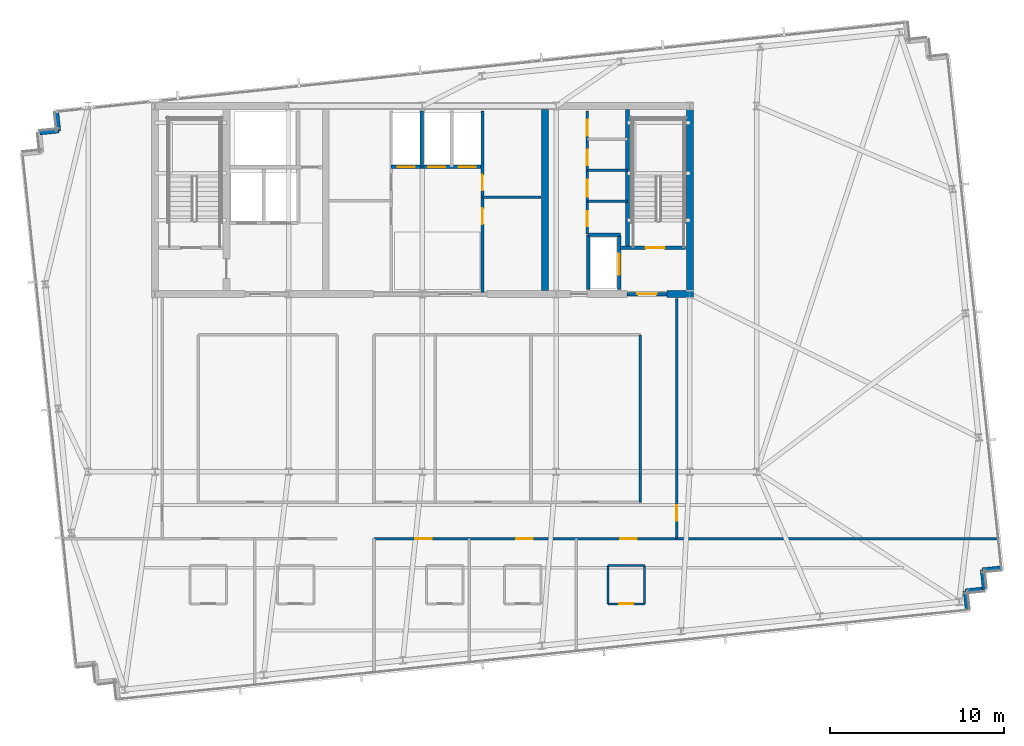
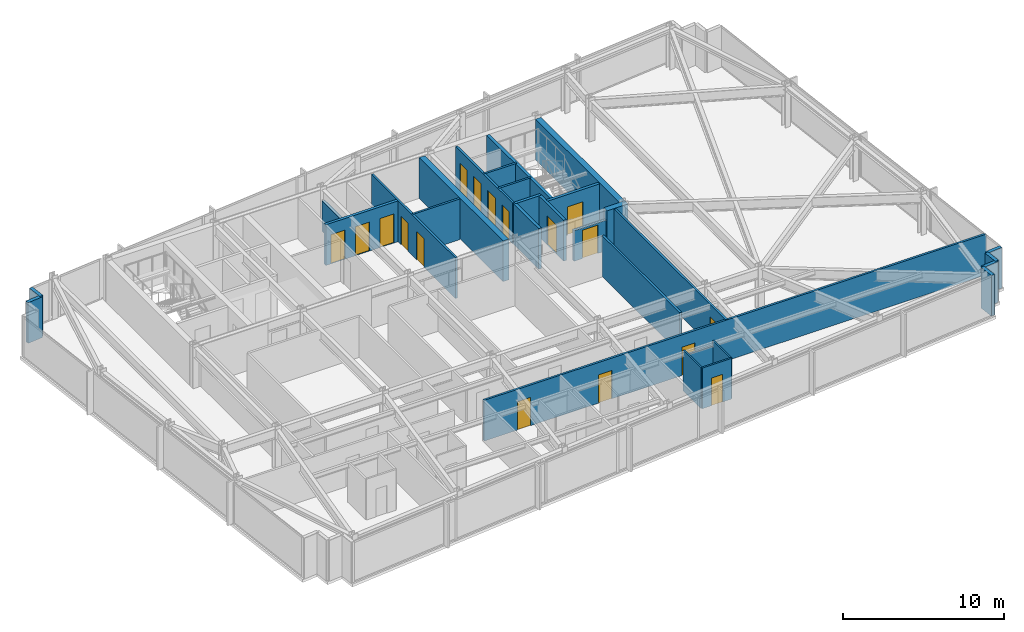
# One storey, part 28 of 33: 29 walls, 17 doors, 17 openings.
"""IFC4 building model written with IfcOpenShell, lengths in metres."""

from ifc_helpers import new_model, si_unit, direction, frame, frame_2d, origin, place, context, subcontext, project, spatial, rectangle, extrude, material, layer, layer_set, type_object, element, fill, save


model = new_model("IFC4")

# Units and contexts
model_context = context("Model", 3, precision=1e-05, world=origin(), true_north=direction((0.0, 1.0)))
body_context = subcontext(model_context, "Body", "Model", "MODEL_VIEW")
ifc_project = project(units=[si_unit("LENGTHUNIT", "METRE"), si_unit("AREAUNIT", "SQUARE_METRE"), si_unit("VOLUMEUNIT", "CUBIC_METRE"), si_unit("PLANEANGLEUNIT", "RADIAN"), si_unit("MASSUNIT", "GRAM", prefix="KILO")], contexts=[model_context])

# Site, building, storey
site_placement = place(None, origin())
site = spatial("IfcSite", under=ifc_project, at=site_placement, CompositionType="ELEMENT")
building_placement = place(site_placement, origin())
building = spatial("IfcBuilding", under=site, at=building_placement, Name="Yelkora Congress Tower", CompositionType="ELEMENT")
storey_placement = place(building_placement, frame((0.0, 0.0, 227.60009765625)))
storey = spatial("IfcBuildingStorey", under=building, at=storey_placement, Name="L63", CompositionType="ELEMENT", Elevation=227.60009765625)

# Walls
ifc_material_1 = material(Name="Concrete C50/60", Category="concrete")
ifc_layer_1 = layer(ifc_material_1, 0.219970703125)
ifc_layer_set_1 = layer_set([ifc_layer_1], Name="Concrete C50/60")
wall_type_1 = type_object("IfcWallType", Name="WALL-CORE-INT-220", PredefinedType="SHEAR", material=ifc_layer_set_1)
wall_1_placement = place(storey_placement, frame((50.179931640625, 38.050048828125, 0.0), z_axis=(0.0, 0.0, 1.0), x_axis=(0.0, 1.0, 0.0)))
element("IfcWall", 1, at=wall_1_placement, inside=storey, type_object=wall_type_1, Name="L63 ST02 West Stair Shear Wall", PredefinedType="SHEAR", context=body_context, shape_type="SweptSolid", body=[
    extrude(rectangle(XDim=7.949951171875, YDim=0.219970703125, at=frame_2d((3.97509765625, 0.0))), origin(), (0.0, 0.0, 1.0), 3.079833984375),
])
ifc_layer_2 = layer(ifc_material_1, 0.39990234375)
ifc_layer_set_2 = layer_set([ifc_layer_2], Name="Concrete C50/60")
wall_type_2 = type_object("IfcWallType", Name="WALL-CORE-INT-400", PredefinedType="SHEAR", material=ifc_layer_set_2)
wall_2_placement = place(storey_placement, frame((52.449951171875, 35.39990234375, 0.0), z_axis=(0.0, 0.0, 1.0), x_axis=(1.0, 0.0, 0.0)))
element("IfcWall", 2, at=wall_2_placement, inside=storey, type_object=wall_type_2, Name="L63 Rear Core South-East Shear Wall B", PredefinedType="SHEAR", context=body_context, shape_type="SweptSolid", body=[
    extrude(rectangle(XDim=1.510009765625, YDim=0.39990234375, at=frame_2d((0.7548828125, 0.0))), origin(), (0.0, 0.0, 1.0), 3.079833984375),
])
for number, where, z_axis, x_axis, name in (
    (3, (45.449951171875, 35.60009765625, 0.0), (0.0, 0.0, 1.0), (0.0, 1.0, 0.0), "L63 Rear Core Cross Shear Wall C3"),
    (4, (53.760009765625, 35.60009765625, 0.0), (0.0, 0.0, 1.0), (0.0, 1.0, 0.0), "L63 Rear Core Cross Shear Wall E"),
):
    element("IfcWall", number, at=place(storey_placement, frame(where, z_axis=z_axis, x_axis=x_axis)), inside=storey, type_object=wall_type_2, Name=name, PredefinedType="SHEAR", context=body_context, shape_type="SweptSolid", body=[
        extrude(rectangle(XDim=10.39990234375, YDim=0.39990234375, at=frame_2d((5.199951171875, 0.0))), origin(), (0.0, 0.0, 1.0), 3.079833984375),
    ])
ifc_material_2 = material(Name="Concrete C40/50", Category="concrete")
ifc_layer_3 = layer(ifc_material_2, 0.239990234375)
ifc_layer_set_3 = layer_set([ifc_layer_3], Name="Concrete C40/50")
wall_type_3 = type_object("IfcWallType", Name="WALL-EXT-LIMESTONE-240", PredefinedType="SOLIDWALL", material=ifc_layer_set_3)
wall_3_placement = place(storey_placement, frame((16.420166015625, 44.65380859375, 0.0), z_axis=(0.0, 0.0, 1.0), x_axis=(0.994541884982, 0.104338099541, 0.0)))
element("IfcWall", 5, at=wall_3_placement, inside=storey, type_object=wall_type_3, Name="L63 Serrated Corner Limestone Pier 8", PredefinedType="SOLIDWALL", context=body_context, shape_type="SweptSolid", body=[
    extrude(rectangle(XDim=1.099853515625, YDim=0.239990234375, at=frame_2d((0.5498046875, 0.0))), origin(), (0.0, 0.0, 1.0), 3.079833984375),
])
for number, where, z_axis, x_axis, name in (
    (6, (17.513916015625, 44.7685546875, 0.0), (0.0, 0.0, 1.0), (-0.104534592565, 0.994521251134, 0.0), "L63 Serrated Corner Limestone Pier 9"),
    (7, (71.654052734375, 19.67041015625, 0.0), (0.0, 0.0, 1.0), (-0.994521251134, -0.104534592565, 0.0), "L63 Serrated Corner Limestone Pier 16"),
    (8, (70.56005859375, 19.555419921875, 0.0), (0.0, 0.0, 1.0), (0.104534592565, -0.994521251134, 0.0), "L63 Serrated Corner Limestone Pier 17"),
    (9, (70.675048828125, 18.46142578125, 0.0), (0.0, 0.0, 1.0), (-0.994521251134, -0.104534592565, 0.0), "L63 Serrated Corner Limestone Pier 18"),
    (10, (69.5810546875, 18.346435546875, 0.0), (0.0, 0.0, 1.0), (0.104534592565, -0.994521251134, 0.0), "L63 Serrated Corner Limestone Pier 19"),
):
    element("IfcWall", number, at=place(storey_placement, frame(where, z_axis=z_axis, x_axis=x_axis)), inside=storey, type_object=wall_type_3, Name=name, PredefinedType="SOLIDWALL", context=body_context, shape_type="SweptSolid", body=[
        extrude(rectangle(XDim=1.10009765625, YDim=0.239990234375, at=frame_2d((0.550048828125, 0.0))), origin(), (0.0, 0.0, 1.0), 3.079833984375),
    ])
ifc_material_3 = material(Name="Moisture-resistant gypsum partition", Category="gypsum")
ifc_layer_4 = layer(ifc_material_3, 0.1201171875)
ifc_layer_set_4 = layer_set([ifc_layer_4], Name="Moisture-resistant gypsum partition")
wall_type_4 = type_object("IfcWallType", Name="WALL-INT-120-NR", PredefinedType="PARTITIONING", material=ifc_layer_set_4)
wall_4_placement = place(storey_placement, frame((49.069091796875, 19.800048828125, 0.0), z_axis=(0.0, 0.0, 1.0), x_axis=(1.0, 0.0, 0.0)))
element("IfcWall", 11, at=wall_4_placement, inside=storey, type_object=wall_type_4, Name="L63 Partition Wall 43", PredefinedType="PARTITIONING", context=body_context, shape_type="SweptSolid", body=[
    extrude(rectangle(XDim=2.099853515625, YDim=0.1201171875, at=frame_2d((1.0498046875, 0.0))), origin(), (0.0, 0.0, 1.0), 2.71484375),
])
for number, where, z_axis, x_axis, name in (
    (12, (49.069091796875, 17.60009765625, 0.0), (0.0, 0.0, 1.0), (0.0, 1.0, 0.0), "L63 Partition Wall 44"),
    (13, (51.1689453125, 17.60009765625, 0.0), (0.0, 0.0, 1.0), (0.0, 1.0, 0.0), "L63 Partition Wall 45"),
):
    element("IfcWall", number, at=place(storey_placement, frame(where, z_axis=z_axis, x_axis=x_axis)), inside=storey, type_object=wall_type_4, Name=name, PredefinedType="PARTITIONING", context=body_context, shape_type="SweptSolid", body=[
        extrude(rectangle(XDim=2.199951171875, YDim=0.1201171875, at=frame_2d((1.10009765625, 0.0))), origin(), (0.0, 0.0, 1.0), 3.079833984375),
    ])

# Wall, opening, door
wall_5_placement = place(storey_placement, frame((49.069091796875, 17.60009765625, 0.0), z_axis=(0.0, 0.0, 1.0), x_axis=(1.0, 0.0, 0.0)))
wall_5 = element("IfcWall", 14, at=wall_5_placement, inside=storey, type_object=wall_type_4, Name="L63 Partition Wall 46", PredefinedType="PARTITIONING", context=body_context, shape_type="SweptSolid", body=[
    extrude(rectangle(XDim=2.099853515625, YDim=0.1201171875, at=frame_2d((1.0498046875, 0.0))), origin(), (0.0, 0.0, 1.0), 3.079833984375),
])
opening_1_placement = place(wall_5_placement, frame((0.64990234375, 0.0, 0.0)))
opening_1 = element("IfcOpeningElement", 15, at=opening_1_placement, cuts=wall_5, Name="Opening DR-080B", PredefinedType="OPENING", context=body_context, shape_type="SweptSolid", body=[
    extrude(rectangle(XDim=0.800048828125, YDim=2.10009765625, at=frame_2d((0.39990234375, 1.050048828125))), frame((0.0, 0.070068359375, 0.0), z_axis=(0.0, -1.0, 0.0), x_axis=(1.0, 0.0, 0.0)), (0.0, 0.0, 1.0), 0.14013671875),
])
ifc_material_4 = material(Name="Moisture-sealed en-suite timber door", Category="wood")
door_type_1 = type_object("IfcDoorType", Name="DOOR-BATH-800", OperationType="NOTDEFINED", PredefinedType="DOOR", material=ifc_material_4)
door_1_placement = place(opening_1_placement, origin())
door_1 = element("IfcDoor", 16, at=door_1_placement, inside=storey, type_object=door_type_1, Name="L63 En-suite Door 6", OperationType="SINGLE_SWING_LEFT", OverallHeight=2.10009765625, OverallWidth=0.800048828125, PredefinedType="DOOR", context=body_context, shape_type="SweptSolid", body=[
    extrude(rectangle(XDim=0.800048828125, YDim=2.10009765625, at=frame_2d((0.39990234375, 1.050048828125))), frame((0.0, 0.02490234375, 0.0), z_axis=(0.0, -1.0, 0.0), x_axis=(1.0, 0.0, 0.0)), (0.0, 0.0, 1.0), 0.050048828125),
])
fill(opening_1, door_1)

# Walls
ifc_material_5 = material(Name="Acoustic metal-stud gypsum partition", Category="gypsum")
ifc_layer_5 = layer(ifc_material_5, 0.14990234375)
ifc_layer_set_5 = layer_set([ifc_layer_5], Name="Acoustic metal-stud gypsum partition")
wall_type_5 = type_object("IfcWallType", Name="WALL-INT-150-NR", PredefinedType="PARTITIONING", material=ifc_layer_set_5)
for number, where, z_axis, x_axis, name in (
    (17, (47.8798828125, 40.719970703125, 0.0), (0.0, 0.0, 1.0), (1.0, 0.0, 0.0), "L63 Partition Wall 20"),
    (18, (47.8798828125, 42.52001953125, 0.0), (0.0, 0.0, 1.0), (1.0, 0.0, 0.0), "L63 Partition Wall 21"),
):
    element("IfcWall", number, at=place(storey_placement, frame(where, z_axis=z_axis, x_axis=x_axis)), inside=storey, type_object=wall_type_5, Name=name, PredefinedType="PARTITIONING", context=body_context, shape_type="SweptSolid", body=[
        extrude(rectangle(XDim=2.300048828125, YDim=0.14990234375, at=frame_2d((1.14990234375, 0.0))), origin(), (0.0, 0.0, 1.0), 3.079833984375),
    ])

# Wall, openings, doors
wall_6_placement = place(storey_placement, frame((47.8798828125, 38.85009765625, 0.0), z_axis=(0.0, 0.0, 1.0), x_axis=(0.0, 1.0, 0.0)))
wall_6 = element("IfcWall", 19, at=wall_6_placement, inside=storey, type_object=wall_type_5, Name="L63 Partition Wall 23", PredefinedType="PARTITIONING", context=body_context, shape_type="SweptSolid", body=[
    extrude(rectangle(XDim=7.06982421875, YDim=0.14990234375, at=frame_2d((3.534912109375, 0.0))), origin(), (0.0, 0.0, 1.0), 3.079833984375),
])
opening_2_placement = place(wall_6_placement, frame((0.449951171875, 0.0, 0.0)))
opening_2 = element("IfcOpeningElement", 20, at=opening_2_placement, cuts=wall_6, Name="Opening DR-085N", PredefinedType="OPENING", context=body_context, shape_type="SweptSolid", body=[
    extrude(rectangle(XDim=0.85009765625, YDim=2.14990234375, at=frame_2d((0.425048828125, 1.074951171875))), frame((0.0, 0.0849609375, 0.0), z_axis=(0.0, -1.0, 0.0), x_axis=(1.0, 0.0, 0.0)), (0.0, 0.0, 1.0), 0.169921875),
])
opening_3_placement = place(wall_6_placement, frame((2.14990234375, 0.0, 0.0)))
opening_3 = element("IfcOpeningElement", 21, at=opening_3_placement, cuts=wall_6, Name="Opening DR-095N", PredefinedType="OPENING", context=body_context, shape_type="SweptSolid", body=[
    extrude(rectangle(XDim=0.949951171875, YDim=2.14990234375, at=frame_2d((0.47509765625, 1.074951171875))), frame((0.0, 0.0849609375, 0.0), z_axis=(0.0, -1.0, 0.0), x_axis=(1.0, 0.0, 0.0)), (0.0, 0.0, 1.0), 0.169921875),
])
opening_4_placement = place(wall_6_placement, frame((3.949951171875, 0.0, 0.0)))
opening_4 = element("IfcOpeningElement", 22, at=opening_4_placement, cuts=wall_6, Name="Opening DR-090N", PredefinedType="OPENING", context=body_context, shape_type="SweptSolid", body=[
    extrude(rectangle(XDim=0.89990234375, YDim=2.14990234375, at=frame_2d((0.449951171875, 1.074951171875))), frame((0.0, 0.0849609375, 0.0), z_axis=(0.0, -1.0, 0.0), x_axis=(1.0, 0.0, 0.0)), (0.0, 0.0, 1.0), 0.169921875),
])
opening_5_placement = place(wall_6_placement, frame((5.64990234375, 0.0, 0.0)))
opening_5 = element("IfcOpeningElement", 23, at=opening_5_placement, cuts=wall_6, Name="Opening DR-090N", PredefinedType="OPENING", context=body_context, shape_type="SweptSolid", body=[
    extrude(rectangle(XDim=0.89990234375, YDim=2.14990234375, at=frame_2d((0.449951171875, 1.074951171875))), frame((0.0, 0.0849609375, 0.0), z_axis=(0.0, -1.0, 0.0), x_axis=(1.0, 0.0, 0.0)), (0.0, 0.0, 1.0), 0.169921875),
])
ifc_material_6 = material(Name="Laminate service store door leaf", Category="wood")
door_type_2 = type_object("IfcDoorType", Name="DOOR-INT-850", OperationType="NOTDEFINED", PredefinedType="DOOR", material=ifc_material_6)
door_2_placement = place(opening_2_placement, origin())
door_2 = element("IfcDoor", 24, at=door_2_placement, inside=storey, type_object=door_type_2, Name="L63 Janitor Room Door", OperationType="SINGLE_SWING_LEFT", OverallHeight=2.14990234375, OverallWidth=0.85009765625, PredefinedType="DOOR", context=body_context, shape_type="SweptSolid", body=[
    extrude(rectangle(XDim=0.85009765625, YDim=2.14990234375, at=frame_2d((0.425048828125, 1.074951171875))), frame((0.0, 0.02490234375, 0.0), z_axis=(0.0, -1.0, 0.0), x_axis=(1.0, 0.0, 0.0)), (0.0, 0.0, 1.0), 0.050048828125),
])
fill(opening_2, door_2)
ifc_material_7 = material(Name="Moisture-resistant laminate door leaf", Category="wood")
door_type_3 = type_object("IfcDoorType", Name="DOOR-INT-900", OperationType="NOTDEFINED", PredefinedType="DOOR", material=ifc_material_7)
door_3_placement = place(opening_4_placement, origin())
door_3 = element("IfcDoor", 25, at=door_3_placement, inside=storey, type_object=door_type_3, Name="L63 Male WC Door", OperationType="SINGLE_SWING_LEFT", OverallHeight=2.14990234375, OverallWidth=0.89990234375, PredefinedType="DOOR", context=body_context, shape_type="SweptSolid", body=[
    extrude(rectangle(XDim=0.89990234375, YDim=2.14990234375, at=frame_2d((0.449951171875, 1.074951171875))), frame((0.0, 0.02490234375, 0.0), z_axis=(0.0, -1.0, 0.0), x_axis=(1.0, 0.0, 0.0)), (0.0, 0.0, 1.0), 0.050048828125),
])
fill(opening_4, door_3)
door_4_placement = place(opening_5_placement, origin())
door_4 = element("IfcDoor", 26, at=door_4_placement, inside=storey, type_object=door_type_3, Name="L63 Female WC Door", OperationType="SINGLE_SWING_RIGHT", OverallHeight=2.14990234375, OverallWidth=0.89990234375, PredefinedType="DOOR", context=body_context, shape_type="SweptSolid", body=[
    extrude(rectangle(XDim=0.89990234375, YDim=2.14990234375, at=frame_2d((0.449951171875, 1.074951171875))), frame((0.0, 0.02490234375, 0.0), z_axis=(0.0, -1.0, 0.0), x_axis=(1.0, 0.0, 0.0)), (0.0, 0.0, 1.0), 0.050048828125),
])
fill(opening_5, door_4)
ifc_material_8 = material(Name="Acoustic laminated timber office door", Category="wood")
door_type_4 = type_object("IfcDoorType", Name="DOOR-INT-950", OperationType="NOTDEFINED", PredefinedType="DOOR", material=ifc_material_8)
door_5_placement = place(opening_3_placement, origin())
door_5 = element("IfcDoor", 27, at=door_5_placement, inside=storey, type_object=door_type_4, Name="L63 Accessible WC Door", OperationType="SINGLE_SWING_RIGHT", OverallHeight=2.14990234375, OverallWidth=0.949951171875, PredefinedType="DOOR", context=body_context, shape_type="SweptSolid", body=[
    extrude(rectangle(XDim=0.949951171875, YDim=2.14990234375, at=frame_2d((0.47509765625, 1.074951171875))), frame((0.0, 0.02490234375, 0.0), z_axis=(0.0, -1.0, 0.0), x_axis=(1.0, 0.0, 0.0)), (0.0, 0.0, 1.0), 0.050048828125),
])
fill(opening_3, door_5)

# Wall, opening, door
wall_7_placement = place(storey_placement, frame((53.0, 21.35009765625, 0.0), z_axis=(0.0, 0.0, 1.0), x_axis=(0.0, 1.0, 0.0)))
wall_7 = element("IfcWall", 28, at=wall_7_placement, inside=storey, type_object=wall_type_5, Name="L63 Partition Wall 51", PredefinedType="PARTITIONING", context=body_context, shape_type="SweptSolid", body=[
    extrude(rectangle(XDim=13.789794921875, YDim=0.14990234375, at=frame_2d((6.89501953125, 0.0))), origin(), (0.0, 0.0, 1.0), 3.079833984375),
])
opening_6_placement = place(wall_7_placement, frame((1.030029296875, 0.0, 0.0)))
opening_6 = element("IfcOpeningElement", 29, at=opening_6_placement, cuts=wall_7, Name="Opening DR-090N", PredefinedType="OPENING", context=body_context, shape_type="SweptSolid", body=[
    extrude(rectangle(XDim=0.89990234375, YDim=2.14990234375, at=frame_2d((0.449951171875, 1.074951171875))), frame((0.0, 0.0849609375, 0.0), z_axis=(0.0, -1.0, 0.0), x_axis=(1.0, 0.0, 0.0)), (0.0, 0.0, 1.0), 0.169921875),
])
door_6_placement = place(opening_6_placement, origin())
door_6 = element("IfcDoor", 30, at=door_6_placement, inside=storey, type_object=door_type_3, Name="L63 E Wing Door", OperationType="SINGLE_SWING_RIGHT", OverallHeight=2.14990234375, OverallWidth=0.89990234375, PredefinedType="DOOR", context=body_context, shape_type="SweptSolid", body=[
    extrude(rectangle(XDim=0.89990234375, YDim=2.14990234375, at=frame_2d((0.449951171875, 1.074951171875))), frame((0.0, 0.02490234375, 0.0), z_axis=(0.0, -1.0, 0.0), x_axis=(1.0, 0.0, 0.0)), (0.0, 0.0, 1.0), 0.050048828125),
])
fill(opening_6, door_6)

# Walls
wall_8_placement = place(storey_placement, frame((50.919921875, 23.429931640625, 0.0), z_axis=(0.0, 0.0, 1.0), x_axis=(0.0, 1.0, 0.0)))
element("IfcWall", 31, at=wall_8_placement, inside=storey, type_object=wall_type_5, Name="L63 Partition Wall 53", PredefinedType="PARTITIONING", context=body_context, shape_type="SweptSolid", body=[
    extrude(rectangle(XDim=9.6201171875, YDim=0.14990234375, at=frame_2d((4.81005859375, 0.0))), origin(), (0.0, 0.0, 1.0), 3.079833984375),
])
ifc_material_9 = material(Name="Twin-stud fire-rated gypsum partition", Category="gypsum")
ifc_layer_6 = layer(ifc_material_9, 0.14990234375)
ifc_layer_set_6 = layer_set([ifc_layer_6], Name="Twin-stud fire-rated gypsum partition")
wall_type_6 = type_object("IfcWallType", Name="WALL-INT-150-R60", PredefinedType="PARTITIONING", material=ifc_layer_set_6)
wall_9_placement = place(storey_placement, frame((41.85009765625, 40.949951171875, 0.0), z_axis=(0.0, 0.0, 1.0), x_axis=(1.0, 0.0, 0.0)))
element("IfcWall", 32, at=wall_9_placement, inside=storey, type_object=wall_type_6, Name="L63 Partition Wall 13", PredefinedType="PARTITIONING", context=body_context, shape_type="SweptSolid", body=[
    extrude(rectangle(XDim=3.369873046875, YDim=0.14990234375, at=frame_2d((1.68505859375, 0.0))), origin(), (0.0, 0.0, 1.0), 3.079833984375),
])

# Wall, openings, doors
wall_10_placement = place(storey_placement, frame((41.85009765625, 35.5, 0.0), z_axis=(0.0, 0.0, 1.0), x_axis=(0.0, 1.0, 0.0)))
wall_10 = element("IfcWall", 33, at=wall_10_placement, inside=storey, type_object=wall_type_6, Name="L63 Partition Wall 14", PredefinedType="PARTITIONING", context=body_context, shape_type="SweptSolid", body=[
    extrude(rectangle(XDim=10.419921875, YDim=0.14990234375, at=frame_2d((5.2099609375, 0.0))), origin(), (0.0, 0.0, 1.0), 3.079833984375),
])
opening_7_placement = place(wall_10_placement, frame((3.919921875, 0.0, 0.0)))
opening_7 = element("IfcOpeningElement", 34, at=opening_7_placement, cuts=wall_10, Name="Opening DR-090F6", PredefinedType="OPENING", context=body_context, shape_type="SweptSolid", body=[
    extrude(rectangle(XDim=0.89990234375, YDim=2.14990234375, at=frame_2d((0.449951171875, 1.074951171875))), frame((0.0, 0.0849609375, 0.0), z_axis=(0.0, -1.0, 0.0), x_axis=(1.0, 0.0, 0.0)), (0.0, 0.0, 1.0), 0.169921875),
])
opening_8_placement = place(wall_10_placement, frame((5.85009765625, 0.0, 0.0)))
opening_8 = element("IfcOpeningElement", 35, at=opening_8_placement, cuts=wall_10, Name="Opening DR-090F6", PredefinedType="OPENING", context=body_context, shape_type="SweptSolid", body=[
    extrude(rectangle(XDim=0.89990234375, YDim=2.14990234375, at=frame_2d((0.449951171875, 1.074951171875))), frame((0.0, 0.0849609375, 0.0), z_axis=(0.0, -1.0, 0.0), x_axis=(1.0, 0.0, 0.0)), (0.0, 0.0, 1.0), 0.169921875),
])
ifc_material_10 = material(Name="Painted steel riser fire door leaf", Category="steel")
door_type_5 = type_object("IfcDoorType", Name="DOOR-FD60-900", OperationType="NOTDEFINED", PredefinedType="DOOR", material=ifc_material_10)
door_7_placement = place(opening_7_placement, origin())
door_7 = element("IfcDoor", 36, at=door_7_placement, inside=storey, type_object=door_type_5, Name="L63 High-Zone BMS Door", OperationType="SINGLE_SWING_RIGHT", OverallHeight=2.14990234375, OverallWidth=0.89990234375, PredefinedType="DOOR", context=body_context, shape_type="SweptSolid", body=[
    extrude(rectangle(XDim=0.89990234375, YDim=2.14990234375, at=frame_2d((0.449951171875, 1.074951171875))), frame((0.0, 0.02490234375, 0.0), z_axis=(0.0, -1.0, 0.0), x_axis=(1.0, 0.0, 0.0)), (0.0, 0.0, 1.0), 0.050048828125),
])
fill(opening_7, door_7)
door_8_placement = place(opening_8_placement, origin())
door_8 = element("IfcDoor", 37, at=door_8_placement, inside=storey, type_object=door_type_5, Name="L63 Linen Store Door", OperationType="SINGLE_SWING_LEFT", OverallHeight=2.14990234375, OverallWidth=0.89990234375, PredefinedType="DOOR", context=body_context, shape_type="SweptSolid", body=[
    extrude(rectangle(XDim=0.89990234375, YDim=2.14990234375, at=frame_2d((0.449951171875, 1.074951171875))), frame((0.0, 0.02490234375, 0.0), z_axis=(0.0, -1.0, 0.0), x_axis=(1.0, 0.0, 0.0)), (0.0, 0.0, 1.0), 0.050048828125),
])
fill(opening_8, door_8)

wall_11_placement = place(storey_placement, frame((35.6201171875, 21.35009765625, 0.0), z_axis=(0.0, 0.0, 1.0), x_axis=(1.0, 0.0, 0.0)))
wall_11 = element("IfcWall", 38, at=wall_11_placement, inside=storey, type_object=wall_type_6, Name="L63 South Spine Wall East", PredefinedType="PARTITIONING", context=body_context, shape_type="SweptSolid", body=[
    extrude(rectangle(XDim=35.917724609375, YDim=0.14990234375, at=frame_2d((17.958984375, 0.0))), origin(), (0.0, 0.0, 1.0), 3.079833984375),
])
opening_9_placement = place(wall_11_placement, frame((2.3759765625, 0.0, 0.0)))
opening_9 = element("IfcOpeningElement", 39, at=opening_9_placement, cuts=wall_11, Name="Opening DR-095F6", PredefinedType="OPENING", context=body_context, shape_type="SweptSolid", body=[
    extrude(rectangle(XDim=0.949951171875, YDim=2.14990234375, at=frame_2d((0.47509765625, 1.074951171875))), frame((0.0, 0.0849609375, 0.0), z_axis=(0.0, -1.0, 0.0), x_axis=(1.0, 0.0, 0.0)), (0.0, 0.0, 1.0), 0.169921875),
])
opening_10_placement = place(wall_11_placement, frame((8.179931640625, 0.0, 0.0)))
opening_10 = element("IfcOpeningElement", 40, at=opening_10_placement, cuts=wall_11, Name="Opening DR-095F6", PredefinedType="OPENING", context=body_context, shape_type="SweptSolid", body=[
    extrude(rectangle(XDim=0.949951171875, YDim=2.14990234375, at=frame_2d((0.47509765625, 1.074951171875))), frame((0.0, 0.0849609375, 0.0), z_axis=(0.0, -1.0, 0.0), x_axis=(1.0, 0.0, 0.0)), (0.0, 0.0, 1.0), 0.169921875),
])
opening_11_placement = place(wall_11_placement, frame((14.138916015625, 0.0, 0.0)))
opening_11 = element("IfcOpeningElement", 41, at=opening_11_placement, cuts=wall_11, Name="Opening DR-095F6", PredefinedType="OPENING", context=body_context, shape_type="SweptSolid", body=[
    extrude(rectangle(XDim=0.949951171875, YDim=2.14990234375, at=frame_2d((0.47509765625, 1.074951171875))), frame((0.0, 0.0849609375, 0.0), z_axis=(0.0, -1.0, 0.0), x_axis=(1.0, 0.0, 0.0)), (0.0, 0.0, 1.0), 0.169921875),
])
ifc_material_11 = material(Name="Acoustic oak-veneer fire door leaf", Category="wood")
door_type_6 = type_object("IfcDoorType", Name="DOOR-FD60-950", OperationType="NOTDEFINED", PredefinedType="DOOR", material=ifc_material_11)
door_9_placement = place(opening_9_placement, origin())
door_9 = element("IfcDoor", 42, at=door_9_placement, inside=storey, type_object=door_type_6, Name="L63 Hotel Guest Room 04 Entry Door", OperationType="SINGLE_SWING_RIGHT", OverallHeight=2.14990234375, OverallWidth=0.949951171875, PredefinedType="DOOR", context=body_context, shape_type="SweptSolid", body=[
    extrude(rectangle(XDim=0.949951171875, YDim=2.14990234375, at=frame_2d((0.47509765625, 1.074951171875))), frame((0.0, 0.02490234375, 0.0), z_axis=(0.0, -1.0, 0.0), x_axis=(1.0, 0.0, 0.0)), (0.0, 0.0, 1.0), 0.050048828125),
])
fill(opening_9, door_9)
door_10_placement = place(opening_10_placement, origin())
door_10 = element("IfcDoor", 43, at=door_10_placement, inside=storey, type_object=door_type_6, Name="L63 Hotel Guest Room 05 Entry Door", OperationType="SINGLE_SWING_LEFT", OverallHeight=2.14990234375, OverallWidth=0.949951171875, PredefinedType="DOOR", context=body_context, shape_type="SweptSolid", body=[
    extrude(rectangle(XDim=0.949951171875, YDim=2.14990234375, at=frame_2d((0.47509765625, 1.074951171875))), frame((0.0, 0.02490234375, 0.0), z_axis=(0.0, -1.0, 0.0), x_axis=(1.0, 0.0, 0.0)), (0.0, 0.0, 1.0), 0.050048828125),
])
fill(opening_10, door_10)
door_11_placement = place(opening_11_placement, origin())
door_11 = element("IfcDoor", 44, at=door_11_placement, inside=storey, type_object=door_type_6, Name="L63 Diplomatic Suite 06 Entry Door", OperationType="SINGLE_SWING_RIGHT", OverallHeight=2.14990234375, OverallWidth=0.949951171875, PredefinedType="DOOR", context=body_context, shape_type="SweptSolid", body=[
    extrude(rectangle(XDim=0.949951171875, YDim=2.14990234375, at=frame_2d((0.47509765625, 1.074951171875))), frame((0.0, 0.02490234375, 0.0), z_axis=(0.0, -1.0, 0.0), x_axis=(1.0, 0.0, 0.0)), (0.0, 0.0, 1.0), 0.050048828125),
])
fill(opening_11, door_11)

ifc_material_12 = material(Name="Autoclaved aerated concrete blockwork", Category="masonry")
ifc_layer_7 = layer(ifc_material_12, 0.199951171875)
ifc_layer_set_7 = layer_set([ifc_layer_7], Name="Autoclaved aerated concrete blockwork")
wall_type_7 = type_object("IfcWallType", Name="WALL-INT-200-R120", PredefinedType="PARTITIONING", material=ifc_layer_set_7)
wall_12_placement = place(storey_placement, frame((36.60009765625, 42.699951171875, 0.0), z_axis=(0.0, 0.0, 1.0), x_axis=(1.0, 0.0, 0.0)))
wall_12 = element("IfcWall", 45, at=wall_12_placement, inside=storey, type_object=wall_type_7, Name="L63 Partition Wall 8", PredefinedType="PARTITIONING", context=body_context, shape_type="SweptSolid", body=[
    extrude(rectangle(XDim=5.25, YDim=0.199951171875, at=frame_2d((2.625, 0.0))), origin(), (0.0, 0.0, 1.0), 3.079833984375),
])
opening_12_placement = place(wall_12_placement, frame((0.375, 0.0, 0.0)))
opening_12 = element("IfcOpeningElement", 46, at=opening_12_placement, cuts=wall_12, Name="Opening LD-PS10", PredefinedType="OPENING", context=body_context, shape_type="SweptSolid", body=[
    extrude(rectangle(XDim=1.0, YDim=2.199951171875, at=frame_2d((0.5, 1.10009765625))), frame((0.0, 0.10986328125, 0.0), z_axis=(0.0, -1.0, 0.0), x_axis=(1.0, 0.0, 0.0)), (0.0, 0.0, 1.0), 0.219970703125),
])
opening_13_placement = place(wall_12_placement, frame((2.125, 0.0, 0.0)))
opening_13 = element("IfcOpeningElement", 47, at=opening_13_placement, cuts=wall_12, Name="Opening LD-PS10", PredefinedType="OPENING", context=body_context, shape_type="SweptSolid", body=[
    extrude(rectangle(XDim=1.0, YDim=2.199951171875, at=frame_2d((0.5, 1.10009765625))), frame((0.0, 0.10986328125, 0.0), z_axis=(0.0, -1.0, 0.0), x_axis=(1.0, 0.0, 0.0)), (0.0, 0.0, 1.0), 0.219970703125),
])
opening_14_placement = place(wall_12_placement, frame((3.875, 0.0, 0.0)))
opening_14 = element("IfcOpeningElement", 48, at=opening_14_placement, cuts=wall_12, Name="Opening LD-PS10", PredefinedType="OPENING", context=body_context, shape_type="SweptSolid", body=[
    extrude(rectangle(XDim=1.0, YDim=2.199951171875, at=frame_2d((0.5, 1.10009765625))), frame((0.0, 0.10986328125, 0.0), z_axis=(0.0, -1.0, 0.0), x_axis=(1.0, 0.0, 0.0)), (0.0, 0.0, 1.0), 0.219970703125),
])
ifc_material_13 = material(Name="Champagne stainless steel landing door", Category="steel")
door_type_7 = type_object("IfcDoorType", Name="DOOR-LIFT-PAS-1000", OperationType="DOUBLE_DOOR_SLIDING", PredefinedType="DOOR", material=ifc_material_13)
door_12_placement = place(opening_12_placement, origin())
door_12 = element("IfcDoor", 49, at=door_12_placement, inside=storey, type_object=door_type_7, Name="Lift Landing Door LF-P9 L63", OperationType="DOUBLE_DOOR_SLIDING", OverallHeight=2.199951171875, OverallWidth=1.0, PredefinedType="DOOR", context=body_context, shape_type="SweptSolid", body=[
    extrude(rectangle(XDim=1.0, YDim=2.199951171875, at=frame_2d((0.5, 1.10009765625))), frame((0.0, 0.02490234375, 0.0), z_axis=(0.0, -1.0, 0.0), x_axis=(1.0, 0.0, 0.0)), (0.0, 0.0, 1.0), 0.050048828125),
])
fill(opening_12, door_12)
door_13_placement = place(opening_13_placement, origin())
door_13 = element("IfcDoor", 50, at=door_13_placement, inside=storey, type_object=door_type_7, Name="Lift Landing Door LF-P10 L63", OperationType="DOUBLE_DOOR_SLIDING", OverallHeight=2.199951171875, OverallWidth=1.0, PredefinedType="DOOR", context=body_context, shape_type="SweptSolid", body=[
    extrude(rectangle(XDim=1.0, YDim=2.199951171875, at=frame_2d((0.5, 1.10009765625))), frame((0.0, 0.02490234375, 0.0), z_axis=(0.0, -1.0, 0.0), x_axis=(1.0, 0.0, 0.0)), (0.0, 0.0, 1.0), 0.050048828125),
])
fill(opening_13, door_13)
door_14_placement = place(opening_14_placement, origin())
door_14 = element("IfcDoor", 51, at=door_14_placement, inside=storey, type_object=door_type_7, Name="Lift Landing Door LF-P11 L63", OperationType="DOUBLE_DOOR_SLIDING", OverallHeight=2.199951171875, OverallWidth=1.0, PredefinedType="DOOR", context=body_context, shape_type="SweptSolid", body=[
    extrude(rectangle(XDim=1.0, YDim=2.199951171875, at=frame_2d((0.5, 1.10009765625))), frame((0.0, 0.02490234375, 0.0), z_axis=(0.0, -1.0, 0.0), x_axis=(1.0, 0.0, 0.0)), (0.0, 0.0, 1.0), 0.050048828125),
])
fill(opening_14, door_14)

# Wall
wall_13_placement = place(storey_placement, frame((38.35009765625, 42.699951171875, 0.0), z_axis=(0.0, 0.0, 1.0), x_axis=(0.0, 1.0, 0.0)))
element("IfcWall", 52, at=wall_13_placement, inside=storey, type_object=wall_type_7, Name="L63 Partition Wall 9", PredefinedType="PARTITIONING", context=body_context, shape_type="SweptSolid", body=[
    extrude(rectangle(XDim=3.219970703125, YDim=0.199951171875, at=frame_2d((1.60986328125, 0.0))), origin(), (0.0, 0.0, 1.0), 2.31298828125),
])

# Wall, opening, door
wall_14_placement = place(storey_placement, frame((49.780029296875, 38.050048828125, 0.0), z_axis=(0.0, 0.0, 1.0), x_axis=(1.0, 0.0, 0.0)))
wall_14 = element("IfcWall", 53, at=wall_14_placement, inside=storey, type_object=wall_type_7, Name="L63 Stair ST-02 Enclosure Wall", PredefinedType="PARTITIONING", context=body_context, shape_type="SweptSolid", body=[
    extrude(rectangle(XDim=3.719970703125, YDim=0.199951171875, at=frame_2d((1.85986328125, 0.0))), origin(), (0.0, 0.0, 1.0), 3.079833984375),
])
opening_15_placement = place(wall_14_placement, frame((1.436279296875, 0.0, 0.0)))
opening_15 = element("IfcOpeningElement", 54, at=opening_15_placement, cuts=wall_14, Name="Opening DR-110F9", PredefinedType="OPENING", context=body_context, shape_type="SweptSolid", body=[
    extrude(rectangle(XDim=1.10009765625, YDim=2.14990234375, at=frame_2d((0.550048828125, 1.074951171875))), frame((0.0, 0.10986328125, 0.0), z_axis=(0.0, -1.0, 0.0), x_axis=(1.0, 0.0, 0.0)), (0.0, 0.0, 1.0), 0.219970703125),
])
ifc_material_14 = material(Name="Galvanised steel fire door leaf", Category="steel")
door_type_8 = type_object("IfcDoorType", Name="DOOR-FD90-1100", OperationType="NOTDEFINED", PredefinedType="DOOR", material=ifc_material_14)
door_15_placement = place(opening_15_placement, origin())
door_15 = element("IfcDoor", 55, at=door_15_placement, inside=storey, type_object=door_type_8, Name="L63 Stair ST-02 Entry Door", OperationType="SINGLE_SWING_RIGHT", OverallHeight=2.14990234375, OverallWidth=1.10009765625, PredefinedType="DOOR", context=body_context, shape_type="SweptSolid", body=[
    extrude(rectangle(XDim=1.10009765625, YDim=2.14990234375, at=frame_2d((0.550048828125, 1.074951171875))), frame((0.0, 0.02490234375, 0.0), z_axis=(0.0, -1.0, 0.0), x_axis=(1.0, 0.0, 0.0)), (0.0, 0.0, 1.0), 0.050048828125),
])
fill(opening_15, door_15)

wall_15_placement = place(storey_placement, frame((50.14990234375, 35.39990234375, 0.0), z_axis=(0.0, 0.0, 1.0), x_axis=(1.0, 0.0, 0.0)))
wall_15 = element("IfcWall", 56, at=wall_15_placement, inside=storey, type_object=wall_type_7, Name="L63 Partition Wall 16", PredefinedType="PARTITIONING", context=body_context, shape_type="SweptSolid", body=[
    extrude(rectangle(XDim=2.300048828125, YDim=0.199951171875, at=frame_2d((1.14990234375, 0.0))), origin(), (0.0, 0.0, 1.0), 2.31298828125),
])
opening_16_placement = place(wall_15_placement, frame((0.60009765625, 0.0, 0.0)))
opening_16 = element("IfcOpeningElement", 57, at=opening_16_placement, cuts=wall_15, Name="Opening DR-110F9", PredefinedType="OPENING", context=body_context, shape_type="SweptSolid", body=[
    extrude(rectangle(XDim=1.10009765625, YDim=2.14990234375, at=frame_2d((0.550048828125, 1.074951171875))), frame((0.0, 0.10986328125, 0.0), z_axis=(0.0, -1.0, 0.0), x_axis=(1.0, 0.0, 0.0)), (0.0, 0.0, 1.0), 0.219970703125),
])
door_16_placement = place(opening_16_placement, origin())
door_16 = element("IfcDoor", 58, at=door_16_placement, inside=storey, type_object=door_type_8, Name="L63 East Stair Lobby Door", OperationType="SINGLE_SWING_LEFT", OverallHeight=2.14990234375, OverallWidth=1.10009765625, PredefinedType="DOOR", context=body_context, shape_type="SweptSolid", body=[
    extrude(rectangle(XDim=1.10009765625, YDim=2.14990234375, at=frame_2d((0.550048828125, 1.074951171875))), frame((0.0, 0.02490234375, 0.0), z_axis=(0.0, -1.0, 0.0), x_axis=(1.0, 0.0, 0.0)), (0.0, 0.0, 1.0), 0.050048828125),
])
fill(opening_16, door_16)

wall_16_placement = place(storey_placement, frame((49.699951171875, 35.64990234375, 0.0), z_axis=(0.0, 0.0, 1.0), x_axis=(0.0, 1.0, 0.0)))
wall_16 = element("IfcWall", 59, at=wall_16_placement, inside=storey, type_object=wall_type_7, Name="L63 Partition Wall 17", PredefinedType="PARTITIONING", context=body_context, shape_type="SweptSolid", body=[
    extrude(rectangle(XDim=3.150146484375, YDim=0.199951171875, at=frame_2d((1.5751953125, 0.0))), origin(), (0.0, 0.0, 1.0), 3.079833984375),
])
opening_17_placement = place(wall_16_placement, frame((0.85009765625, 0.0, 0.0)))
opening_17 = element("IfcOpeningElement", 60, at=opening_17_placement, cuts=wall_16, Name="Opening LD-SV12", PredefinedType="OPENING", context=body_context, shape_type="SweptSolid", body=[
    extrude(rectangle(XDim=1.199951171875, YDim=2.199951171875, at=frame_2d((0.60009765625, 1.10009765625))), frame((0.0, 0.10986328125, 0.0), z_axis=(0.0, -1.0, 0.0), x_axis=(1.0, 0.0, 0.0)), (0.0, 0.0, 1.0), 0.219970703125),
])
ifc_material_15 = material(Name="Heavy-duty stainless steel landing door", Category="steel")
door_type_9 = type_object("IfcDoorType", Name="DOOR-LIFT-SRV-1200", OperationType="DOUBLE_DOOR_SLIDING", PredefinedType="DOOR", material=ifc_material_15)
door_17_placement = place(opening_17_placement, origin())
door_17 = element("IfcDoor", 61, at=door_17_placement, inside=storey, type_object=door_type_9, Name="Service Lift Landing Door LF-SV1 L63", OperationType="DOUBLE_DOOR_SLIDING", OverallHeight=2.199951171875, OverallWidth=1.199951171875, PredefinedType="DOOR", context=body_context, shape_type="SweptSolid", body=[
    extrude(rectangle(XDim=1.199951171875, YDim=2.199951171875, at=frame_2d((0.60009765625, 1.10009765625))), frame((0.0, 0.02490234375, 0.0), z_axis=(0.0, -1.0, 0.0), x_axis=(1.0, 0.0, 0.0)), (0.0, 0.0, 1.0), 0.050048828125),
])
fill(opening_17, door_17)

# Walls
wall_17_placement = place(storey_placement, frame((47.919921875, 35.64990234375, 0.0), z_axis=(0.0, 0.0, 1.0), x_axis=(0.0, 1.0, 0.0)))
element("IfcWall", 62, at=wall_17_placement, inside=storey, type_object=wall_type_7, Name="L63 Partition Wall 18", PredefinedType="PARTITIONING", context=body_context, shape_type="SweptSolid", body=[
    extrude(rectangle(XDim=3.150146484375, YDim=0.199951171875, at=frame_2d((1.5751953125, 0.0))), origin(), (0.0, 0.0, 1.0), 3.079833984375),
])
wall_18_placement = place(storey_placement, frame((47.919921875, 38.800048828125, 0.0), z_axis=(0.0, 0.0, 1.0), x_axis=(1.0, 0.0, 0.0)))
element("IfcWall", 63, at=wall_18_placement, inside=storey, type_object=wall_type_7, Name="L63 Partition Wall 19", PredefinedType="PARTITIONING", context=body_context, shape_type="SweptSolid", body=[
    extrude(rectangle(XDim=1.860107421875, YDim=0.199951171875, at=frame_2d((0.93017578125, 0.0))), origin(), (0.0, 0.0, 1.0), 3.079833984375),
])

save(model, "model.ifc")
